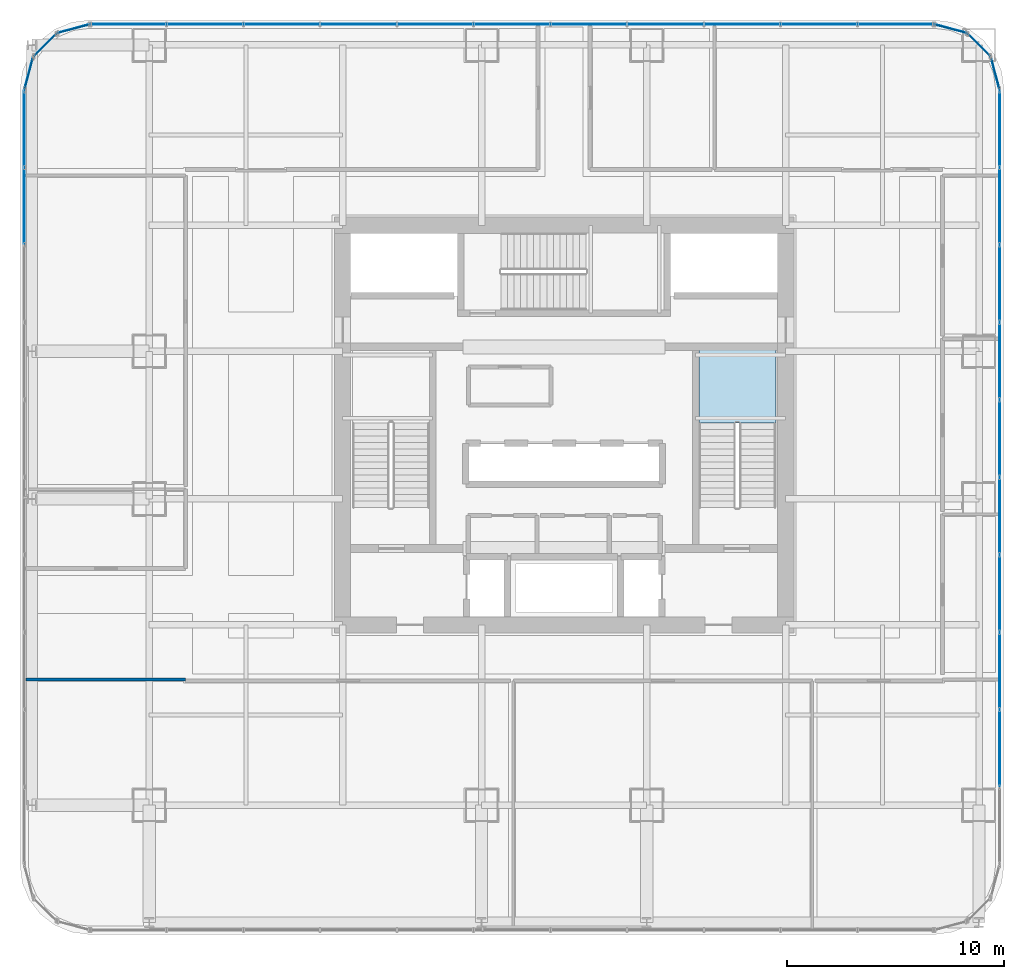
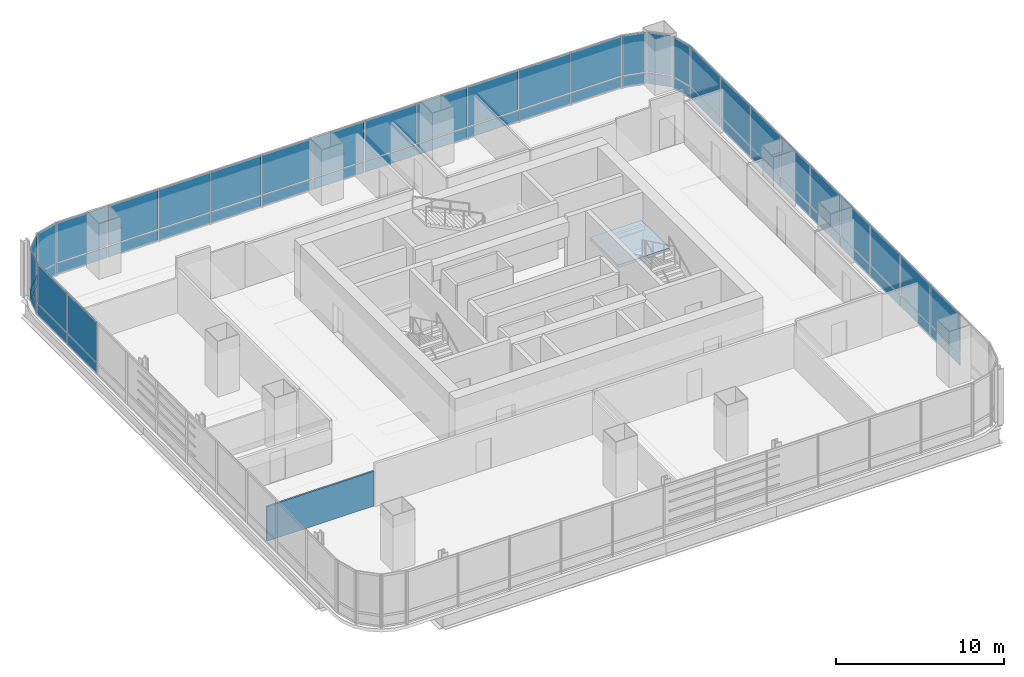
# One storey, part 27 of 36: 56 plates, 1 slab, 1 wall, 10 elements without a shape of their own.
"""IFC4 building model written with IfcOpenShell, lengths in metres."""

from ifc_helpers import new_model, si_unit, direction, frame, frame_2d, origin, origin_2d, place, context, subcontext, project, spatial, polyline, rectangle, outline, extrude, material, layer, layer_set, type_object, element, aggregate, save


model = new_model("IFC4")

# Units and contexts
model_context = context("Model", 3, precision=1e-05, world=origin(), true_north=direction((0.0, 1.0)))
body_context = subcontext(model_context, "Body", "Model", "MODEL_VIEW")
ifc_project = project(units=[si_unit("LENGTHUNIT", "METRE"), si_unit("AREAUNIT", "SQUARE_METRE"), si_unit("VOLUMEUNIT", "CUBIC_METRE"), si_unit("PLANEANGLEUNIT", "RADIAN"), si_unit("MASSUNIT", "GRAM", prefix="KILO")], contexts=[model_context])

# Site, building, storey
site_placement = place(None, origin())
site = spatial("IfcSite", under=ifc_project, at=site_placement, CompositionType="ELEMENT")
building_placement = place(site_placement, origin())
building = spatial("IfcBuilding", under=site, at=building_placement, Name="Punatoya Terracotta Tower", CompositionType="ELEMENT")
storey_placement = place(building_placement, frame((0.0, 0.0, 40.35009765625)))
storey = spatial("IfcBuildingStorey", under=building, at=storey_placement, Name="L08", CompositionType="ELEMENT", Elevation=40.35009765625)

# Curtain wall, plates
ifc_material_1 = material(Name="Aluminium 6063-T6 + Double Low-E Glass", Category="aluminium")
curtain_wall_type = type_object("IfcCurtainWallType", Name="CW-M1", PredefinedType="NOTDEFINED", material=ifc_material_1)
curtain_wall_1_placement = place(storey_placement, origin())
curtain_wall_1 = element("IfcCurtainWall", 1, at=curtain_wall_1_placement, inside=storey, type_object=curtain_wall_type, Name="L08 Curtain Wall CW-L08-E05-1", PredefinedType="NOTDEFINED")
ifc_material_2 = material(Name="Double Low-E Clear Vision Glass", Category="glass")
ifc_layer_1 = layer(ifc_material_2, 0.028076171875)
ifc_layer_set_1 = layer_set([ifc_layer_1], Name="Double Low-E Clear Vision Glass")
plate_type_1 = type_object("IfcPlateType", Name="PLT-GLZ-28", PredefinedType="CURTAIN_PANEL", material=ifc_layer_set_1)
plate_1_placement = place(storey_placement, frame((20.050048828125, -14.8857421875, 0.889892578125), z_axis=(0.0, 0.0, 1.0), x_axis=(0.0, 1.0, 0.0)))
plate_1 = element("IfcPlate", 2, at=plate_1_placement, type_object=plate_type_1, Name="CW-L08-E05-1 Vision Glass Panel 2", PredefinedType="CURTAIN_PANEL", context=body_context, shape_type="SweptSolid", body=[
    extrude(rectangle(XDim=3.482421875, YDim=0.028076171875, at=origin_2d()), origin(), (0.0, 0.0, 1.0), 2.8798828125),
])
plate_2_placement = place(storey_placement, frame((20.050048828125, -11.318359375, 0.889892578125), z_axis=(0.0, 0.0, 1.0), x_axis=(0.0, 1.0, 0.0)))
plate_2 = element("IfcPlate", 3, at=plate_2_placement, type_object=plate_type_1, Name="CW-L08-E05-1 Vision Glass Panel 3", PredefinedType="CURTAIN_PANEL", context=body_context, shape_type="SweptSolid", body=[
    extrude(rectangle(XDim=3.482421875, YDim=0.028076171875, at=origin_2d()), origin(), (0.0, 0.0, 1.0), 2.8798828125),
])
plate_3_placement = place(storey_placement, frame((20.050048828125, -7.751220703125, 0.889892578125), z_axis=(0.0, 0.0, 1.0), x_axis=(0.0, 1.0, 0.0)))
plate_3 = element("IfcPlate", 4, at=plate_3_placement, type_object=plate_type_1, Name="CW-L08-E05-1 Vision Glass Panel 4", PredefinedType="CURTAIN_PANEL", context=body_context, shape_type="SweptSolid", body=[
    extrude(rectangle(XDim=3.482421875, YDim=0.028076171875, at=origin_2d()), origin(), (0.0, 0.0, 1.0), 2.8798828125),
])
plate_4_placement = place(storey_placement, frame((20.050048828125, -4.18359375, 0.889892578125), z_axis=(0.0, 0.0, 1.0), x_axis=(0.0, 1.0, 0.0)))
plate_4 = element("IfcPlate", 5, at=plate_4_placement, type_object=plate_type_1, Name="CW-L08-E05-1 Vision Glass Panel 5", PredefinedType="CURTAIN_PANEL", context=body_context, shape_type="SweptSolid", body=[
    extrude(rectangle(XDim=3.482421875, YDim=0.028076171875, at=origin_2d()), origin(), (0.0, 0.0, 1.0), 2.8798828125),
])
plate_5_placement = place(storey_placement, frame((20.050048828125, -0.6162109375, 0.889892578125), z_axis=(0.0, 0.0, 1.0), x_axis=(0.0, 1.0, 0.0)))
plate_5 = element("IfcPlate", 6, at=plate_5_placement, type_object=plate_type_1, Name="CW-L08-E05-1 Vision Glass Panel 6", PredefinedType="CURTAIN_PANEL", context=body_context, shape_type="SweptSolid", body=[
    extrude(rectangle(XDim=3.482421875, YDim=0.028076171875, at=origin_2d()), origin(), (0.0, 0.0, 1.0), 2.8798828125),
])
plate_6_placement = place(storey_placement, frame((20.050048828125, 2.951171875, 0.889892578125), z_axis=(0.0, 0.0, 1.0), x_axis=(0.0, 1.0, 0.0)))
plate_6 = element("IfcPlate", 7, at=plate_6_placement, type_object=plate_type_1, Name="CW-L08-E05-1 Vision Glass Panel 7", PredefinedType="CURTAIN_PANEL", context=body_context, shape_type="SweptSolid", body=[
    extrude(rectangle(XDim=3.482421875, YDim=0.028076171875, at=origin_2d()), origin(), (0.0, 0.0, 1.0), 2.8798828125),
])
plate_7_placement = place(storey_placement, frame((20.050048828125, 6.518310546875, 0.889892578125), z_axis=(0.0, 0.0, 1.0), x_axis=(0.0, 1.0, 0.0)))
plate_7 = element("IfcPlate", 8, at=plate_7_placement, type_object=plate_type_1, Name="CW-L08-E05-1 Vision Glass Panel 8", PredefinedType="CURTAIN_PANEL", context=body_context, shape_type="SweptSolid", body=[
    extrude(rectangle(XDim=3.482421875, YDim=0.028076171875, at=origin_2d()), origin(), (0.0, 0.0, 1.0), 2.8798828125),
])
plate_8_placement = place(storey_placement, frame((20.050048828125, 10.085693359375, 0.889892578125), z_axis=(0.0, 0.0, 1.0), x_axis=(0.0, 1.0, 0.0)))
plate_8 = element("IfcPlate", 9, at=plate_8_placement, type_object=plate_type_1, Name="CW-L08-E05-1 Vision Glass Panel 9", PredefinedType="CURTAIN_PANEL", context=body_context, shape_type="SweptSolid", body=[
    extrude(rectangle(XDim=3.482421875, YDim=0.028076171875, at=origin_2d()), origin(), (0.0, 0.0, 1.0), 2.8798828125),
])
plate_9_placement = place(storey_placement, frame((20.050048828125, 13.6533203125, 0.889892578125), z_axis=(0.0, 0.0, 1.0), x_axis=(0.0, 1.0, 0.0)))
plate_9 = element("IfcPlate", 10, at=plate_9_placement, type_object=plate_type_1, Name="CW-L08-E05-1 Vision Glass Panel 10", PredefinedType="CURTAIN_PANEL", context=body_context, shape_type="SweptSolid", body=[
    extrude(rectangle(XDim=3.482421875, YDim=0.028076171875, at=origin_2d()), origin(), (0.0, 0.0, 1.0), 2.8798828125),
])

# Curtain wall, plate
curtain_wall_2_placement = place(storey_placement, origin())
curtain_wall_2 = element("IfcCurtainWall", 11, at=curtain_wall_2_placement, inside=storey, type_object=curtain_wall_type, Name="L08 Curtain Wall CW-L08-CRN06", PredefinedType="NOTDEFINED")
plate_10_placement = place(storey_placement, frame((19.848388671875, 16.193115234375, 0.889892578125), z_axis=(0.0, 0.0, 1.0), x_axis=(-0.257741620719, 0.966213877436, 0.0)))
plate_10 = element("IfcPlate", 12, at=plate_10_placement, type_object=plate_type_1, Name="CW-L08-CRN06 Vision Glass Panel 1", PredefinedType="CURTAIN_PANEL", context=body_context, shape_type="SweptSolid", body=[
    extrude(rectangle(XDim=1.47998046875, YDim=0.028076171875, at=origin_2d()), origin(), (0.0, 0.0, 1.0), 2.8798828125),
])

curtain_wall_3_placement = place(storey_placement, origin())
curtain_wall_3 = element("IfcCurtainWall", 13, at=curtain_wall_3_placement, inside=storey, type_object=curtain_wall_type, Name="L08 Curtain Wall CW-L08-CRN07", PredefinedType="NOTDEFINED")
plate_11_placement = place(storey_placement, frame((19.097900390625, 17.497802734375, 0.889892578125), z_axis=(0.0, 0.0, 1.0), x_axis=(-0.707106781187, 0.707106781187, 0.0)))
plate_11 = element("IfcPlate", 14, at=plate_11_placement, type_object=plate_type_1, Name="CW-L08-CRN07 Vision Glass Panel 1", PredefinedType="CURTAIN_PANEL", context=body_context, shape_type="SweptSolid", body=[
    extrude(rectangle(XDim=1.467041015625, YDim=0.028076171875, at=origin_2d()), origin(), (0.0, 0.0, 1.0), 2.8798828125),
])

curtain_wall_4_placement = place(storey_placement, origin())
curtain_wall_4 = element("IfcCurtainWall", 15, at=curtain_wall_4_placement, inside=storey, type_object=curtain_wall_type, Name="L08 Curtain Wall CW-L08-CRN08", PredefinedType="NOTDEFINED")
plate_12_placement = place(storey_placement, frame((17.79296875, 18.248291015625, 0.889892578125), z_axis=(0.0, 0.0, 1.0), x_axis=(-0.966213877436, 0.257741620719, 0.0)))
plate_12 = element("IfcPlate", 16, at=plate_12_placement, type_object=plate_type_1, Name="CW-L08-CRN08 Vision Glass Panel 1", PredefinedType="CURTAIN_PANEL", context=body_context, shape_type="SweptSolid", body=[
    extrude(rectangle(XDim=1.47998046875, YDim=0.028076171875, at=origin_2d()), origin(), (0.0, 0.0, 1.0), 2.8798828125),
])

# Curtain wall, plates
curtain_wall_5_placement = place(storey_placement, origin())
curtain_wall_5 = element("IfcCurtainWall", 17, at=curtain_wall_5_placement, inside=storey, type_object=curtain_wall_type, Name="L08 Curtain Wall CW-L08-N09-1", PredefinedType="NOTDEFINED")
plate_13_placement = place(storey_placement, frame((15.27001953125, 18.449951171875, 0.889892578125), z_axis=(0.0, 0.0, 1.0), x_axis=(-1.0, 0.0, 0.0)))
plate_13 = element("IfcPlate", 18, at=plate_13_placement, type_object=plate_type_1, Name="CW-L08-N09-1 Vision Glass Panel 1", PredefinedType="CURTAIN_PANEL", context=body_context, shape_type="SweptSolid", body=[
    extrude(rectangle(XDim=3.448974609375, YDim=0.028076171875, at=origin_2d()), origin(), (0.0, 0.0, 1.0), 2.8798828125),
])
plate_14_placement = place(storey_placement, frame((11.73583984375, 18.449951171875, 0.889892578125), z_axis=(0.0, 0.0, 1.0), x_axis=(-1.0, 0.0, 0.0)))
plate_14 = element("IfcPlate", 19, at=plate_14_placement, type_object=plate_type_1, Name="CW-L08-N09-1 Vision Glass Panel 2", PredefinedType="CURTAIN_PANEL", context=body_context, shape_type="SweptSolid", body=[
    extrude(rectangle(XDim=3.448974609375, YDim=0.028076171875, at=origin_2d()), origin(), (0.0, 0.0, 1.0), 2.8798828125),
])
plate_15_placement = place(storey_placement, frame((8.201904296875, 18.449951171875, 0.889892578125), z_axis=(0.0, 0.0, 1.0), x_axis=(-1.0, 0.0, 0.0)))
plate_15 = element("IfcPlate", 20, at=plate_15_placement, type_object=plate_type_1, Name="CW-L08-N09-1 Vision Glass Panel 3", PredefinedType="CURTAIN_PANEL", context=body_context, shape_type="SweptSolid", body=[
    extrude(rectangle(XDim=3.448974609375, YDim=0.028076171875, at=origin_2d()), origin(), (0.0, 0.0, 1.0), 2.8798828125),
])
plate_16_placement = place(storey_placement, frame((4.66796875, 18.449951171875, 0.889892578125), z_axis=(0.0, 0.0, 1.0), x_axis=(-1.0, 0.0, 0.0)))
plate_16 = element("IfcPlate", 21, at=plate_16_placement, type_object=plate_type_1, Name="CW-L08-N09-1 Vision Glass Panel 4", PredefinedType="CURTAIN_PANEL", context=body_context, shape_type="SweptSolid", body=[
    extrude(rectangle(XDim=3.448974609375, YDim=0.028076171875, at=origin_2d()), origin(), (0.0, 0.0, 1.0), 2.8798828125),
])
plate_17_placement = place(storey_placement, frame((1.134033203125, 18.449951171875, 0.889892578125), z_axis=(0.0, 0.0, 1.0), x_axis=(-1.0, 0.0, 0.0)))
plate_17 = element("IfcPlate", 22, at=plate_17_placement, type_object=plate_type_1, Name="CW-L08-N09-1 Vision Glass Panel 5", PredefinedType="CURTAIN_PANEL", context=body_context, shape_type="SweptSolid", body=[
    extrude(rectangle(XDim=3.448974609375, YDim=0.028076171875, at=origin_2d()), origin(), (0.0, 0.0, 1.0), 2.8798828125),
])
plate_18_placement = place(storey_placement, frame((-2.39990234375, 18.449951171875, 0.889892578125), z_axis=(0.0, 0.0, 1.0), x_axis=(-1.0, 0.0, 0.0)))
plate_18 = element("IfcPlate", 23, at=plate_18_placement, type_object=plate_type_1, Name="CW-L08-N09-1 Vision Glass Panel 6", PredefinedType="CURTAIN_PANEL", context=body_context, shape_type="SweptSolid", body=[
    extrude(rectangle(XDim=3.448974609375, YDim=0.028076171875, at=origin_2d()), origin(), (0.0, 0.0, 1.0), 2.8798828125),
])
plate_19_placement = place(storey_placement, frame((-5.93408203125, 18.449951171875, 0.889892578125), z_axis=(0.0, 0.0, 1.0), x_axis=(-1.0, 0.0, 0.0)))
plate_19 = element("IfcPlate", 24, at=plate_19_placement, type_object=plate_type_1, Name="CW-L08-N09-1 Vision Glass Panel 7", PredefinedType="CURTAIN_PANEL", context=body_context, shape_type="SweptSolid", body=[
    extrude(rectangle(XDim=3.448974609375, YDim=0.028076171875, at=origin_2d()), origin(), (0.0, 0.0, 1.0), 2.8798828125),
])
plate_20_placement = place(storey_placement, frame((-9.468017578125, 18.449951171875, 0.889892578125), z_axis=(0.0, 0.0, 1.0), x_axis=(-1.0, 0.0, 0.0)))
plate_20 = element("IfcPlate", 25, at=plate_20_placement, type_object=plate_type_1, Name="CW-L08-N09-1 Vision Glass Panel 8", PredefinedType="CURTAIN_PANEL", context=body_context, shape_type="SweptSolid", body=[
    extrude(rectangle(XDim=3.448974609375, YDim=0.028076171875, at=origin_2d()), origin(), (0.0, 0.0, 1.0), 2.8798828125),
])
plate_21_placement = place(storey_placement, frame((-13.001953125, 18.449951171875, 0.889892578125), z_axis=(0.0, 0.0, 1.0), x_axis=(-1.0, 0.0, 0.0)))
plate_21 = element("IfcPlate", 26, at=plate_21_placement, type_object=plate_type_1, Name="CW-L08-N09-1 Vision Glass Panel 9", PredefinedType="CURTAIN_PANEL", context=body_context, shape_type="SweptSolid", body=[
    extrude(rectangle(XDim=3.448974609375, YDim=0.028076171875, at=origin_2d()), origin(), (0.0, 0.0, 1.0), 2.8798828125),
])
plate_22_placement = place(storey_placement, frame((-16.535888671875, 18.449951171875, 0.889892578125), z_axis=(0.0, 0.0, 1.0), x_axis=(-1.0, 0.0, 0.0)))
plate_22 = element("IfcPlate", 27, at=plate_22_placement, type_object=plate_type_1, Name="CW-L08-N09-1 Vision Glass Panel 10", PredefinedType="CURTAIN_PANEL", context=body_context, shape_type="SweptSolid", body=[
    extrude(rectangle(XDim=3.448974609375, YDim=0.028076171875, at=origin_2d()), origin(), (0.0, 0.0, 1.0), 2.8798828125),
])
plate_23_placement = place(storey_placement, frame((-20.06982421875, 18.449951171875, 0.889892578125), z_axis=(0.0, 0.0, 1.0), x_axis=(-1.0, 0.0, 0.0)))
plate_23 = element("IfcPlate", 28, at=plate_23_placement, type_object=plate_type_1, Name="CW-L08-N09-1 Vision Glass Panel 11", PredefinedType="CURTAIN_PANEL", context=body_context, shape_type="SweptSolid", body=[
    extrude(rectangle(XDim=3.448974609375, YDim=0.028076171875, at=origin_2d()), origin(), (0.0, 0.0, 1.0), 2.8798828125),
])

# Curtain wall, plate
curtain_wall_6_placement = place(storey_placement, origin())
curtain_wall_6 = element("IfcCurtainWall", 29, at=curtain_wall_6_placement, inside=storey, type_object=curtain_wall_type, Name="L08 Curtain Wall CW-L08-CRN10", PredefinedType="NOTDEFINED")
plate_24_placement = place(storey_placement, frame((-22.593017578125, 18.248291015625, 0.889892578125), z_axis=(0.0, 0.0, 1.0), x_axis=(-0.966213877436, -0.257741620719, 0.0)))
plate_24 = element("IfcPlate", 30, at=plate_24_placement, type_object=plate_type_1, Name="CW-L08-CRN10 Vision Glass Panel 1", PredefinedType="CURTAIN_PANEL", context=body_context, shape_type="SweptSolid", body=[
    extrude(rectangle(XDim=1.47998046875, YDim=0.028076171875, at=origin_2d()), origin(), (0.0, 0.0, 1.0), 2.8798828125),
])

curtain_wall_7_placement = place(storey_placement, origin())
curtain_wall_7 = element("IfcCurtainWall", 31, at=curtain_wall_7_placement, inside=storey, type_object=curtain_wall_type, Name="L08 Curtain Wall CW-L08-CRN11", PredefinedType="NOTDEFINED")
plate_25_placement = place(storey_placement, frame((-23.89794921875, 17.497802734375, 0.889892578125), z_axis=(0.0, 0.0, 1.0), x_axis=(-0.707106781187, -0.707106781187, 0.0)))
plate_25 = element("IfcPlate", 32, at=plate_25_placement, type_object=plate_type_1, Name="CW-L08-CRN11 Vision Glass Panel 1", PredefinedType="CURTAIN_PANEL", context=body_context, shape_type="SweptSolid", body=[
    extrude(rectangle(XDim=1.467041015625, YDim=0.028076171875, at=origin_2d()), origin(), (0.0, 0.0, 1.0), 2.8798828125),
])

curtain_wall_8_placement = place(storey_placement, origin())
curtain_wall_8 = element("IfcCurtainWall", 33, at=curtain_wall_8_placement, inside=storey, type_object=curtain_wall_type, Name="L08 Curtain Wall CW-L08-CRN12", PredefinedType="NOTDEFINED")
plate_26_placement = place(storey_placement, frame((-24.648193359375, 16.193115234375, 0.889892578125), z_axis=(0.0, 0.0, 1.0), x_axis=(-0.257741620719, -0.966213877436, 0.0)))
plate_26 = element("IfcPlate", 34, at=plate_26_placement, type_object=plate_type_1, Name="CW-L08-CRN12 Vision Glass Panel 1", PredefinedType="CURTAIN_PANEL", context=body_context, shape_type="SweptSolid", body=[
    extrude(rectangle(XDim=1.47998046875, YDim=0.028076171875, at=origin_2d()), origin(), (0.0, 0.0, 1.0), 2.8798828125),
])

# Curtain wall, plates
curtain_wall_9_placement = place(storey_placement, origin())
curtain_wall_9 = element("IfcCurtainWall", 35, at=curtain_wall_9_placement, inside=storey, type_object=curtain_wall_type, Name="L08 Curtain Wall CW-L08-W13-1", PredefinedType="NOTDEFINED")
plate_27_placement = place(storey_placement, frame((-24.85009765625, 13.6533203125, 0.889892578125), z_axis=(0.0, 0.0, 1.0), x_axis=(0.0, -1.0, 0.0)))
plate_27 = element("IfcPlate", 36, at=plate_27_placement, type_object=plate_type_1, Name="CW-L08-W13-1 Vision Glass Panel 1", PredefinedType="CURTAIN_PANEL", context=body_context, shape_type="SweptSolid", body=[
    extrude(rectangle(XDim=3.482421875, YDim=0.028076171875, at=origin_2d()), origin(), (0.0, 0.0, 1.0), 2.8798828125),
])
plate_28_placement = place(storey_placement, frame((-24.85009765625, 10.085693359375, 0.889892578125), z_axis=(0.0, 0.0, 1.0), x_axis=(0.0, -1.0, 0.0)))
plate_28 = element("IfcPlate", 37, at=plate_28_placement, type_object=plate_type_1, Name="CW-L08-W13-1 Vision Glass Panel 2", PredefinedType="CURTAIN_PANEL", context=body_context, shape_type="SweptSolid", body=[
    extrude(rectangle(XDim=3.482421875, YDim=0.028076171875, at=origin_2d()), origin(), (0.0, 0.0, 1.0), 2.8798828125),
])

# Plate
ifc_material_3 = material(Name="Insulated Terracotta-Backed Spandrel Panel", Category="masonry")
ifc_layer_2 = layer(ifc_material_3, 0.044921875)
ifc_layer_set_2 = layer_set([ifc_layer_2], Name="Insulated Terracotta-Backed Spandrel Panel")
plate_type_2 = type_object("IfcPlateType", Name="PLT-SPN-45", PredefinedType="CURTAIN_PANEL", material=ifc_layer_set_2)
plate_29_placement = place(storey_placement, frame((20.050048828125, -14.8857421875, 0.0400390625), z_axis=(0.0, 0.0, 1.0), x_axis=(0.0, 1.0, 0.0)))
plate_29 = element("IfcPlate", 38, at=plate_29_placement, type_object=plate_type_2, Name="CW-L08-E05-1 Terracotta Spandrel Panel 2", PredefinedType="CURTAIN_PANEL", context=body_context, shape_type="SweptSolid", body=[
    extrude(rectangle(XDim=3.482421875, YDim=0.044921875, at=origin_2d()), origin(), (0.0, 0.0, 1.0), 0.77490234375),
])

plate_30_placement = place(storey_placement, frame((20.050048828125, -11.318359375, 0.0400390625), z_axis=(0.0, 0.0, 1.0), x_axis=(0.0, 1.0, 0.0)))
plate_30 = element("IfcPlate", 39, at=plate_30_placement, type_object=plate_type_2, Name="CW-L08-E05-1 Terracotta Spandrel Panel 3", PredefinedType="CURTAIN_PANEL", context=body_context, shape_type="SweptSolid", body=[
    extrude(rectangle(XDim=3.482421875, YDim=0.044921875, at=origin_2d()), origin(), (0.0, 0.0, 1.0), 0.77490234375),
])

plate_31_placement = place(storey_placement, frame((20.050048828125, -7.751220703125, 0.0400390625), z_axis=(0.0, 0.0, 1.0), x_axis=(0.0, 1.0, 0.0)))
plate_31 = element("IfcPlate", 40, at=plate_31_placement, type_object=plate_type_2, Name="CW-L08-E05-1 Terracotta Spandrel Panel 4", PredefinedType="CURTAIN_PANEL", context=body_context, shape_type="SweptSolid", body=[
    extrude(rectangle(XDim=3.482421875, YDim=0.044921875, at=origin_2d()), origin(), (0.0, 0.0, 1.0), 0.77490234375),
])

plate_32_placement = place(storey_placement, frame((20.050048828125, -4.18359375, 0.0400390625), z_axis=(0.0, 0.0, 1.0), x_axis=(0.0, 1.0, 0.0)))
plate_32 = element("IfcPlate", 41, at=plate_32_placement, type_object=plate_type_2, Name="CW-L08-E05-1 Terracotta Spandrel Panel 5", PredefinedType="CURTAIN_PANEL", context=body_context, shape_type="SweptSolid", body=[
    extrude(rectangle(XDim=3.482421875, YDim=0.044921875, at=origin_2d()), origin(), (0.0, 0.0, 1.0), 0.77490234375),
])

plate_33_placement = place(storey_placement, frame((20.050048828125, -0.6162109375, 0.0400390625), z_axis=(0.0, 0.0, 1.0), x_axis=(0.0, 1.0, 0.0)))
plate_33 = element("IfcPlate", 42, at=plate_33_placement, type_object=plate_type_2, Name="CW-L08-E05-1 Terracotta Spandrel Panel 6", PredefinedType="CURTAIN_PANEL", context=body_context, shape_type="SweptSolid", body=[
    extrude(rectangle(XDim=3.482421875, YDim=0.044921875, at=origin_2d()), origin(), (0.0, 0.0, 1.0), 0.77490234375),
])

plate_34_placement = place(storey_placement, frame((20.050048828125, 2.951171875, 0.0400390625), z_axis=(0.0, 0.0, 1.0), x_axis=(0.0, 1.0, 0.0)))
plate_34 = element("IfcPlate", 43, at=plate_34_placement, type_object=plate_type_2, Name="CW-L08-E05-1 Terracotta Spandrel Panel 7", PredefinedType="CURTAIN_PANEL", context=body_context, shape_type="SweptSolid", body=[
    extrude(rectangle(XDim=3.482421875, YDim=0.044921875, at=origin_2d()), origin(), (0.0, 0.0, 1.0), 0.77490234375),
])

plate_35_placement = place(storey_placement, frame((20.050048828125, 6.518310546875, 0.0400390625), z_axis=(0.0, 0.0, 1.0), x_axis=(0.0, 1.0, 0.0)))
plate_35 = element("IfcPlate", 44, at=plate_35_placement, type_object=plate_type_2, Name="CW-L08-E05-1 Terracotta Spandrel Panel 8", PredefinedType="CURTAIN_PANEL", context=body_context, shape_type="SweptSolid", body=[
    extrude(rectangle(XDim=3.482421875, YDim=0.044921875, at=origin_2d()), origin(), (0.0, 0.0, 1.0), 0.77490234375),
])

plate_36_placement = place(storey_placement, frame((20.050048828125, 10.085693359375, 0.0400390625), z_axis=(0.0, 0.0, 1.0), x_axis=(0.0, 1.0, 0.0)))
plate_36 = element("IfcPlate", 45, at=plate_36_placement, type_object=plate_type_2, Name="CW-L08-E05-1 Terracotta Spandrel Panel 9", PredefinedType="CURTAIN_PANEL", context=body_context, shape_type="SweptSolid", body=[
    extrude(rectangle(XDim=3.482421875, YDim=0.044921875, at=origin_2d()), origin(), (0.0, 0.0, 1.0), 0.77490234375),
])

plate_37_placement = place(storey_placement, frame((20.050048828125, 13.6533203125, 0.0400390625), z_axis=(0.0, 0.0, 1.0), x_axis=(0.0, 1.0, 0.0)))
plate_37 = element("IfcPlate", 46, at=plate_37_placement, type_object=plate_type_2, Name="CW-L08-E05-1 Terracotta Spandrel Panel 10", PredefinedType="CURTAIN_PANEL", context=body_context, shape_type="SweptSolid", body=[
    extrude(rectangle(XDim=3.482421875, YDim=0.044921875, at=origin_2d()), origin(), (0.0, 0.0, 1.0), 0.77490234375),
])

aggregate(curtain_wall_1, [plate_29, plate_1, plate_30, plate_2, plate_31, plate_3, plate_32, plate_4, plate_33, plate_5, plate_34, plate_6, plate_35, plate_7, plate_36, plate_8, plate_37, plate_9])

plate_38_placement = place(storey_placement, frame((19.848388671875, 16.193115234375, 0.0400390625), z_axis=(0.0, 0.0, 1.0), x_axis=(-0.257741620719, 0.966213877436, 0.0)))
plate_38 = element("IfcPlate", 47, at=plate_38_placement, type_object=plate_type_2, Name="CW-L08-CRN06 Terracotta Spandrel Panel 1", PredefinedType="CURTAIN_PANEL", context=body_context, shape_type="SweptSolid", body=[
    extrude(rectangle(XDim=1.47998046875, YDim=0.044921875, at=origin_2d()), origin(), (0.0, 0.0, 1.0), 0.77490234375),
])

aggregate(curtain_wall_2, [plate_38, plate_10])

plate_39_placement = place(storey_placement, frame((19.097900390625, 17.497802734375, 0.0400390625), z_axis=(0.0, 0.0, 1.0), x_axis=(-0.707106781187, 0.707106781187, 0.0)))
plate_39 = element("IfcPlate", 48, at=plate_39_placement, type_object=plate_type_2, Name="CW-L08-CRN07 Terracotta Spandrel Panel 1", PredefinedType="CURTAIN_PANEL", context=body_context, shape_type="SweptSolid", body=[
    extrude(rectangle(XDim=1.467041015625, YDim=0.044921875, at=origin_2d()), origin(), (0.0, 0.0, 1.0), 0.77490234375),
])

aggregate(curtain_wall_3, [plate_39, plate_11])

plate_40_placement = place(storey_placement, frame((17.79296875, 18.248291015625, 0.0400390625), z_axis=(0.0, 0.0, 1.0), x_axis=(-0.966213877436, 0.257741620719, 0.0)))
plate_40 = element("IfcPlate", 49, at=plate_40_placement, type_object=plate_type_2, Name="CW-L08-CRN08 Terracotta Spandrel Panel 1", PredefinedType="CURTAIN_PANEL", context=body_context, shape_type="SweptSolid", body=[
    extrude(rectangle(XDim=1.47998046875, YDim=0.044921875, at=origin_2d()), origin(), (0.0, 0.0, 1.0), 0.77490234375),
])

aggregate(curtain_wall_4, [plate_40, plate_12])

plate_41_placement = place(storey_placement, frame((15.27001953125, 18.449951171875, 0.0400390625), z_axis=(0.0, 0.0, 1.0), x_axis=(-1.0, 0.0, 0.0)))
plate_41 = element("IfcPlate", 50, at=plate_41_placement, type_object=plate_type_2, Name="CW-L08-N09-1 Terracotta Spandrel Panel 1", PredefinedType="CURTAIN_PANEL", context=body_context, shape_type="SweptSolid", body=[
    extrude(rectangle(XDim=3.448974609375, YDim=0.044921875, at=origin_2d()), origin(), (0.0, 0.0, 1.0), 0.77490234375),
])

plate_42_placement = place(storey_placement, frame((11.73583984375, 18.449951171875, 0.0400390625), z_axis=(0.0, 0.0, 1.0), x_axis=(-1.0, 0.0, 0.0)))
plate_42 = element("IfcPlate", 51, at=plate_42_placement, type_object=plate_type_2, Name="CW-L08-N09-1 Terracotta Spandrel Panel 2", PredefinedType="CURTAIN_PANEL", context=body_context, shape_type="SweptSolid", body=[
    extrude(rectangle(XDim=3.448974609375, YDim=0.044921875, at=origin_2d()), origin(), (0.0, 0.0, 1.0), 0.77490234375),
])

plate_43_placement = place(storey_placement, frame((8.201904296875, 18.449951171875, 0.0400390625), z_axis=(0.0, 0.0, 1.0), x_axis=(-1.0, 0.0, 0.0)))
plate_43 = element("IfcPlate", 52, at=plate_43_placement, type_object=plate_type_2, Name="CW-L08-N09-1 Terracotta Spandrel Panel 3", PredefinedType="CURTAIN_PANEL", context=body_context, shape_type="SweptSolid", body=[
    extrude(rectangle(XDim=3.448974609375, YDim=0.044921875, at=origin_2d()), origin(), (0.0, 0.0, 1.0), 0.77490234375),
])

plate_44_placement = place(storey_placement, frame((4.66796875, 18.449951171875, 0.0400390625), z_axis=(0.0, 0.0, 1.0), x_axis=(-1.0, 0.0, 0.0)))
plate_44 = element("IfcPlate", 53, at=plate_44_placement, type_object=plate_type_2, Name="CW-L08-N09-1 Terracotta Spandrel Panel 4", PredefinedType="CURTAIN_PANEL", context=body_context, shape_type="SweptSolid", body=[
    extrude(rectangle(XDim=3.448974609375, YDim=0.044921875, at=origin_2d()), origin(), (0.0, 0.0, 1.0), 0.77490234375),
])

plate_45_placement = place(storey_placement, frame((1.134033203125, 18.449951171875, 0.0400390625), z_axis=(0.0, 0.0, 1.0), x_axis=(-1.0, 0.0, 0.0)))
plate_45 = element("IfcPlate", 54, at=plate_45_placement, type_object=plate_type_2, Name="CW-L08-N09-1 Terracotta Spandrel Panel 5", PredefinedType="CURTAIN_PANEL", context=body_context, shape_type="SweptSolid", body=[
    extrude(rectangle(XDim=3.448974609375, YDim=0.044921875, at=origin_2d()), origin(), (0.0, 0.0, 1.0), 0.77490234375),
])

plate_46_placement = place(storey_placement, frame((-2.39990234375, 18.449951171875, 0.0400390625), z_axis=(0.0, 0.0, 1.0), x_axis=(-1.0, 0.0, 0.0)))
plate_46 = element("IfcPlate", 55, at=plate_46_placement, type_object=plate_type_2, Name="CW-L08-N09-1 Terracotta Spandrel Panel 6", PredefinedType="CURTAIN_PANEL", context=body_context, shape_type="SweptSolid", body=[
    extrude(rectangle(XDim=3.448974609375, YDim=0.044921875, at=origin_2d()), origin(), (0.0, 0.0, 1.0), 0.77490234375),
])

plate_47_placement = place(storey_placement, frame((-5.93408203125, 18.449951171875, 0.0400390625), z_axis=(0.0, 0.0, 1.0), x_axis=(-1.0, 0.0, 0.0)))
plate_47 = element("IfcPlate", 56, at=plate_47_placement, type_object=plate_type_2, Name="CW-L08-N09-1 Terracotta Spandrel Panel 7", PredefinedType="CURTAIN_PANEL", context=body_context, shape_type="SweptSolid", body=[
    extrude(rectangle(XDim=3.448974609375, YDim=0.044921875, at=origin_2d()), origin(), (0.0, 0.0, 1.0), 0.77490234375),
])

plate_48_placement = place(storey_placement, frame((-9.468017578125, 18.449951171875, 0.0400390625), z_axis=(0.0, 0.0, 1.0), x_axis=(-1.0, 0.0, 0.0)))
plate_48 = element("IfcPlate", 57, at=plate_48_placement, type_object=plate_type_2, Name="CW-L08-N09-1 Terracotta Spandrel Panel 8", PredefinedType="CURTAIN_PANEL", context=body_context, shape_type="SweptSolid", body=[
    extrude(rectangle(XDim=3.448974609375, YDim=0.044921875, at=origin_2d()), origin(), (0.0, 0.0, 1.0), 0.77490234375),
])

plate_49_placement = place(storey_placement, frame((-13.001953125, 18.449951171875, 0.0400390625), z_axis=(0.0, 0.0, 1.0), x_axis=(-1.0, 0.0, 0.0)))
plate_49 = element("IfcPlate", 58, at=plate_49_placement, type_object=plate_type_2, Name="CW-L08-N09-1 Terracotta Spandrel Panel 9", PredefinedType="CURTAIN_PANEL", context=body_context, shape_type="SweptSolid", body=[
    extrude(rectangle(XDim=3.448974609375, YDim=0.044921875, at=origin_2d()), origin(), (0.0, 0.0, 1.0), 0.77490234375),
])

plate_50_placement = place(storey_placement, frame((-16.535888671875, 18.449951171875, 0.0400390625), z_axis=(0.0, 0.0, 1.0), x_axis=(-1.0, 0.0, 0.0)))
plate_50 = element("IfcPlate", 59, at=plate_50_placement, type_object=plate_type_2, Name="CW-L08-N09-1 Terracotta Spandrel Panel 10", PredefinedType="CURTAIN_PANEL", context=body_context, shape_type="SweptSolid", body=[
    extrude(rectangle(XDim=3.448974609375, YDim=0.044921875, at=origin_2d()), origin(), (0.0, 0.0, 1.0), 0.77490234375),
])

plate_51_placement = place(storey_placement, frame((-20.06982421875, 18.449951171875, 0.0400390625), z_axis=(0.0, 0.0, 1.0), x_axis=(-1.0, 0.0, 0.0)))
plate_51 = element("IfcPlate", 60, at=plate_51_placement, type_object=plate_type_2, Name="CW-L08-N09-1 Terracotta Spandrel Panel 11", PredefinedType="CURTAIN_PANEL", context=body_context, shape_type="SweptSolid", body=[
    extrude(rectangle(XDim=3.448974609375, YDim=0.044921875, at=origin_2d()), origin(), (0.0, 0.0, 1.0), 0.77490234375),
])

aggregate(curtain_wall_5, [plate_41, plate_13, plate_42, plate_14, plate_43, plate_15, plate_44, plate_16, plate_45, plate_17, plate_46, plate_18, plate_47, plate_19, plate_48, plate_20, plate_49, plate_21, plate_50, plate_22, plate_51, plate_23])

plate_52_placement = place(storey_placement, frame((-22.593017578125, 18.248291015625, 0.0400390625), z_axis=(0.0, 0.0, 1.0), x_axis=(-0.966213877436, -0.257741620719, 0.0)))
plate_52 = element("IfcPlate", 61, at=plate_52_placement, type_object=plate_type_2, Name="CW-L08-CRN10 Terracotta Spandrel Panel 1", PredefinedType="CURTAIN_PANEL", context=body_context, shape_type="SweptSolid", body=[
    extrude(rectangle(XDim=1.47998046875, YDim=0.044921875, at=origin_2d()), origin(), (0.0, 0.0, 1.0), 0.77490234375),
])

aggregate(curtain_wall_6, [plate_52, plate_24])

plate_53_placement = place(storey_placement, frame((-23.89794921875, 17.497802734375, 0.0400390625), z_axis=(0.0, 0.0, 1.0), x_axis=(-0.707106781187, -0.707106781187, 0.0)))
plate_53 = element("IfcPlate", 62, at=plate_53_placement, type_object=plate_type_2, Name="CW-L08-CRN11 Terracotta Spandrel Panel 1", PredefinedType="CURTAIN_PANEL", context=body_context, shape_type="SweptSolid", body=[
    extrude(rectangle(XDim=1.467041015625, YDim=0.044921875, at=origin_2d()), origin(), (0.0, 0.0, 1.0), 0.77490234375),
])

aggregate(curtain_wall_7, [plate_53, plate_25])

plate_54_placement = place(storey_placement, frame((-24.648193359375, 16.193115234375, 0.0400390625), z_axis=(0.0, 0.0, 1.0), x_axis=(-0.257741620719, -0.966213877436, 0.0)))
plate_54 = element("IfcPlate", 63, at=plate_54_placement, type_object=plate_type_2, Name="CW-L08-CRN12 Terracotta Spandrel Panel 1", PredefinedType="CURTAIN_PANEL", context=body_context, shape_type="SweptSolid", body=[
    extrude(rectangle(XDim=1.47998046875, YDim=0.044921875, at=origin_2d()), origin(), (0.0, 0.0, 1.0), 0.77490234375),
])

aggregate(curtain_wall_8, [plate_54, plate_26])

plate_55_placement = place(storey_placement, frame((-24.85009765625, 13.6533203125, 0.0400390625), z_axis=(0.0, 0.0, 1.0), x_axis=(0.0, -1.0, 0.0)))
plate_55 = element("IfcPlate", 64, at=plate_55_placement, type_object=plate_type_2, Name="CW-L08-W13-1 Terracotta Spandrel Panel 1", PredefinedType="CURTAIN_PANEL", context=body_context, shape_type="SweptSolid", body=[
    extrude(rectangle(XDim=3.482421875, YDim=0.044921875, at=origin_2d()), origin(), (0.0, 0.0, 1.0), 0.77490234375),
])

plate_56_placement = place(storey_placement, frame((-24.85009765625, 10.085693359375, 0.0400390625), z_axis=(0.0, 0.0, 1.0), x_axis=(0.0, -1.0, 0.0)))
plate_56 = element("IfcPlate", 65, at=plate_56_placement, type_object=plate_type_2, Name="CW-L08-W13-1 Terracotta Spandrel Panel 2", PredefinedType="CURTAIN_PANEL", context=body_context, shape_type="SweptSolid", body=[
    extrude(rectangle(XDim=3.482421875, YDim=0.044921875, at=origin_2d()), origin(), (0.0, 0.0, 1.0), 0.77490234375),
])

aggregate(curtain_wall_9, [plate_55, plate_27, plate_56, plate_28])

# Stair, slab
ifc_material_4 = material(Name="Concrete C40/50", Category="concrete")
stair_type = type_object("IfcStairType", Name="STR-LOB-1650", PredefinedType="HALF_TURN_STAIR", material=ifc_material_4)
stair_placement = place(storey_placement, origin())
stair = element("IfcStair", 66, at=stair_placement, inside=storey, type_object=stair_type, Name="L08 Protected Core Exit Stair ST-2", PredefinedType="HALF_TURN_STAIR")
ifc_layer_3 = layer(ifc_material_4, 0.179931640625)
ifc_layer_set_3 = layer_set([ifc_layer_3], Name="Concrete C40/50")
slab_type = type_object("IfcSlabType", Name="SLB-LND-180", PredefinedType="LANDING", material=ifc_layer_set_3)
slab_placement = place(storey_placement, frame((0.0, 0.0, 1.824951171875)))
slab = element("IfcSlab", 67, at=slab_placement, type_object=slab_type, Name="ST-2 landing 1", PredefinedType="LANDING", context=body_context, shape_type="SweptSolid", body=[
    extrude(outline(polyline([(9.75, 0.10009765625), (9.75, 3.449951171875), (6.199951171875, 3.449951171875), (6.199951171875, 0.10009765625), (9.75, 0.10009765625)])), origin(), (0.0, 0.0, 1.0), 0.199951171875),
])
aggregate(stair, [slab])

# Wall
ifc_material_5 = material(Name="Gypsum Partition + Steel Stud", Category="steel")
ifc_layer_4 = layer(ifc_material_5, 0.1201171875)
ifc_layer_set_4 = layer_set([ifc_layer_4], Name="Gypsum Partition + Steel Stud")
wall_type = type_object("IfcWallType", Name="WL-OFF-120", PredefinedType="PARTITIONING", material=ifc_layer_set_4)
wall_placement = place(storey_placement, frame((-24.77001953125, -11.7099609375, 0.0), z_axis=(0.0, 0.0, 1.0), x_axis=(1.0, 0.0, 0.0)))
element("IfcWall", 68, at=wall_placement, inside=storey, type_object=wall_type, Name="L08 Analytical Practice Office Partition 16", PredefinedType="PARTITIONING", context=body_context, shape_type="SweptSolid", body=[
    extrude(rectangle(XDim=7.35009765625, YDim=0.1201171875, at=frame_2d((3.675048828125, 0.0))), origin(), (0.0, 0.0, 1.0), 2.52392578125),
])

save(model, "model.ifc")
